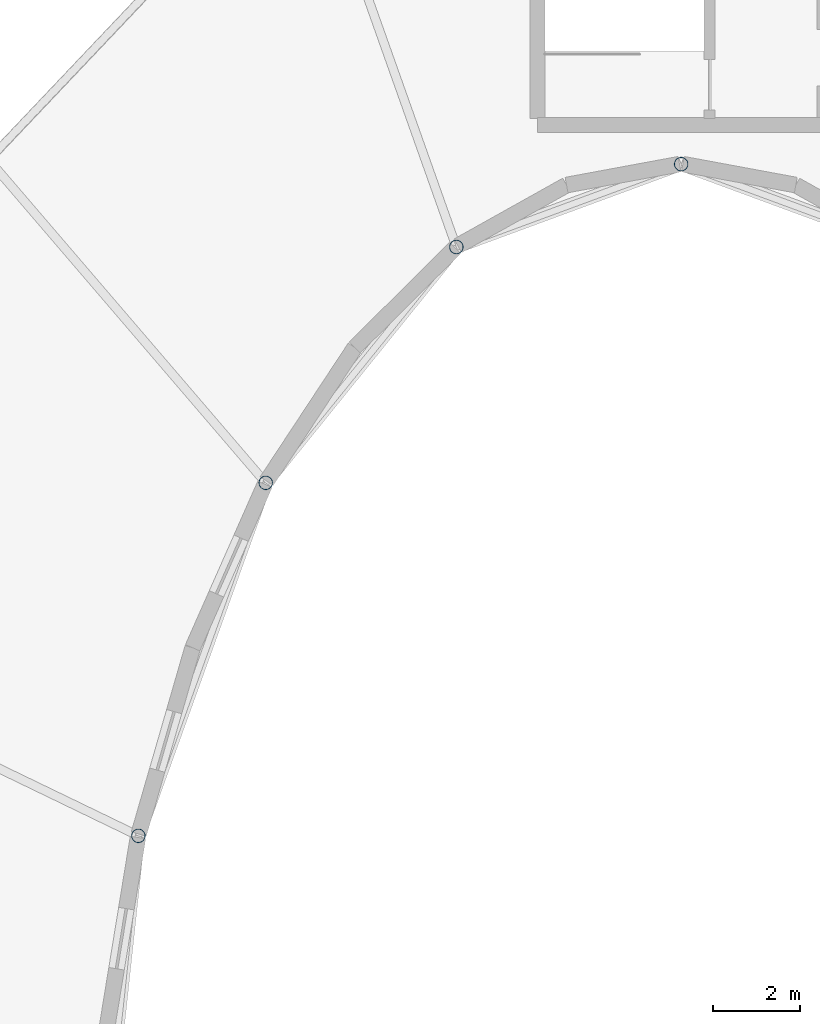
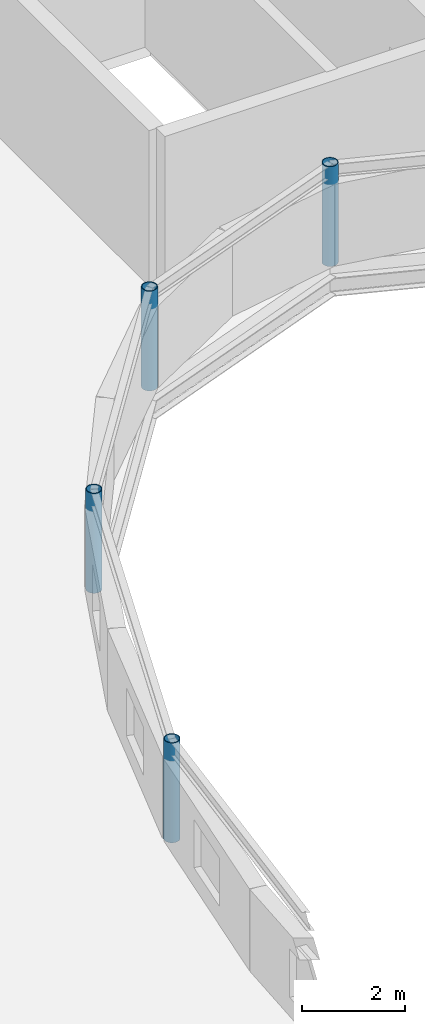
# One storey, part 22 of 123: 4 columns.
"""IFC4 building model written with IfcOpenShell, lengths in metres."""

from ifc_helpers import new_model, si_unit, direction, frame, origin, origin_2d, place, context, subcontext, project, spatial, hollow_circle, extrude, material, material_profile, profile_set, type_object, element, save


model = new_model("IFC4")

# Units and contexts
model_context = context("Model", 3, precision=1e-05, world=origin(), true_north=direction((0.0, 1.0)))
body_context = subcontext(model_context, "Body", "Model", "MODEL_VIEW")
ifc_project = project(units=[si_unit("LENGTHUNIT", "METRE"), si_unit("AREAUNIT", "SQUARE_METRE"), si_unit("VOLUMEUNIT", "CUBIC_METRE"), si_unit("PLANEANGLEUNIT", "RADIAN"), si_unit("MASSUNIT", "GRAM", prefix="KILO")], contexts=[model_context])

# Site, building, storey
site_placement = place(None, origin())
site = spatial("IfcSite", under=ifc_project, at=site_placement, CompositionType="ELEMENT")
building_placement = place(site_placement, origin())
building = spatial("IfcBuilding", under=site, at=building_placement, Name="Kildeholm Park Wholesale Market", CompositionType="ELEMENT")
storey_placement = place(building_placement, frame((0.0, 0.0, 9.60009765625)))
storey = spatial("IfcBuildingStorey", under=building, at=storey_placement, Name="L02", CompositionType="ELEMENT", Elevation=9.60009765625)

# Columns
ifc_material = material(Name="Steel S355", Category="steel")
ifc_material_profile = material_profile(ifc_material, hollow_circle(Radius=0.161865234375, WallThickness=0.01611328125, at=origin_2d()), Name="CHS 323.9x16")
ifc_profile_set = profile_set([ifc_material_profile], Name="Steel S355")
column_type = type_object("IfcColumnType", Name="Column C-S09 CHS 323.9x16", PredefinedType="COLUMN", material=ifc_profile_set)
for number, where, z_axis, x_axis, name in (
    (1, (188.0, 119.5, 0.0), (0.0, 0.0, 1.0), (0.0, 1.0, 0.0), "Column V2-IN-04 L02 COL-0239"),
    (2, (182.833984375, 117.596923828125, 0.0), (0.0, 0.0, 1.0), (-0.382683432365, 0.923879532511, 0.0), "Column V2-IN-05 L02 COL-0244"),
    (3, (178.4541015625, 112.177978515625, 0.0), (0.0, 0.0, 1.0), (-0.707106781187, 0.707106781187, 0.0), "Column V2-IN-06 L02 COL-0249"),
    (4, (175.528076171875, 104.06689453125, 0.0), (0.0, 0.0, 1.0), (-0.923879532511, 0.382683432365, 0.0), "Column V2-IN-07 L02 COL-0254"),
):
    element("IfcColumn", number, at=place(storey_placement, frame(where, z_axis=z_axis, x_axis=x_axis)), inside=storey, type_object=column_type, Name=name, PredefinedType="COLUMN", context=body_context, shape_type="SweptSolid", body=[
        extrude(hollow_circle(Radius=0.161865234375, WallThickness=0.01611328125, at=origin_2d()), origin(), (0.0, 0.0, 1.0), 2.3798828125),
    ])

save(model, "model.ifc")
